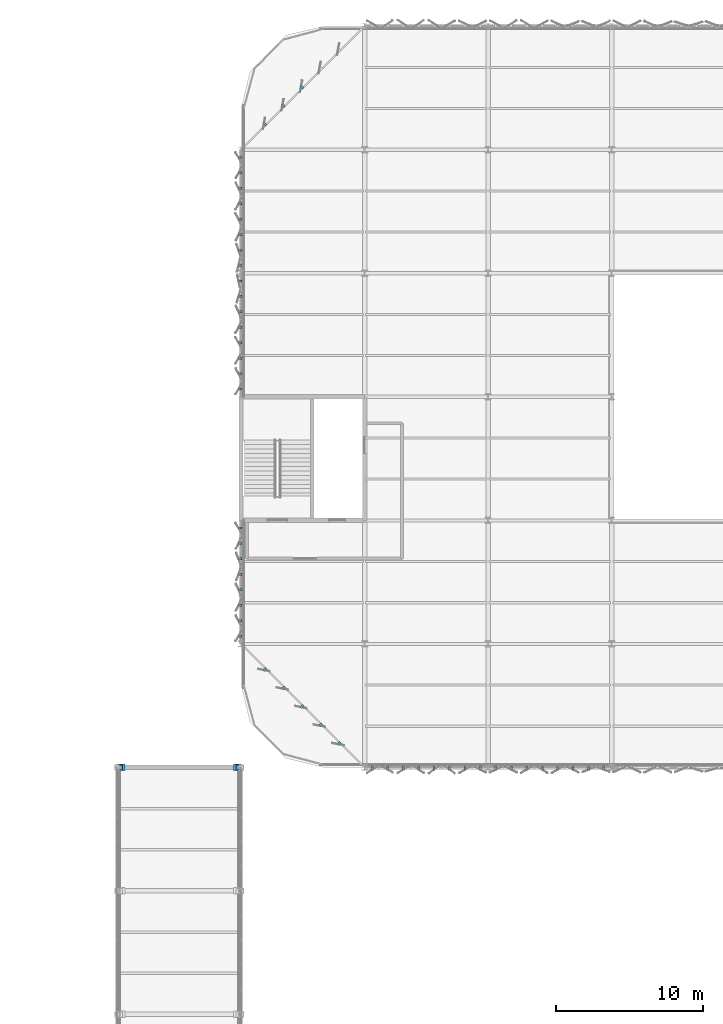
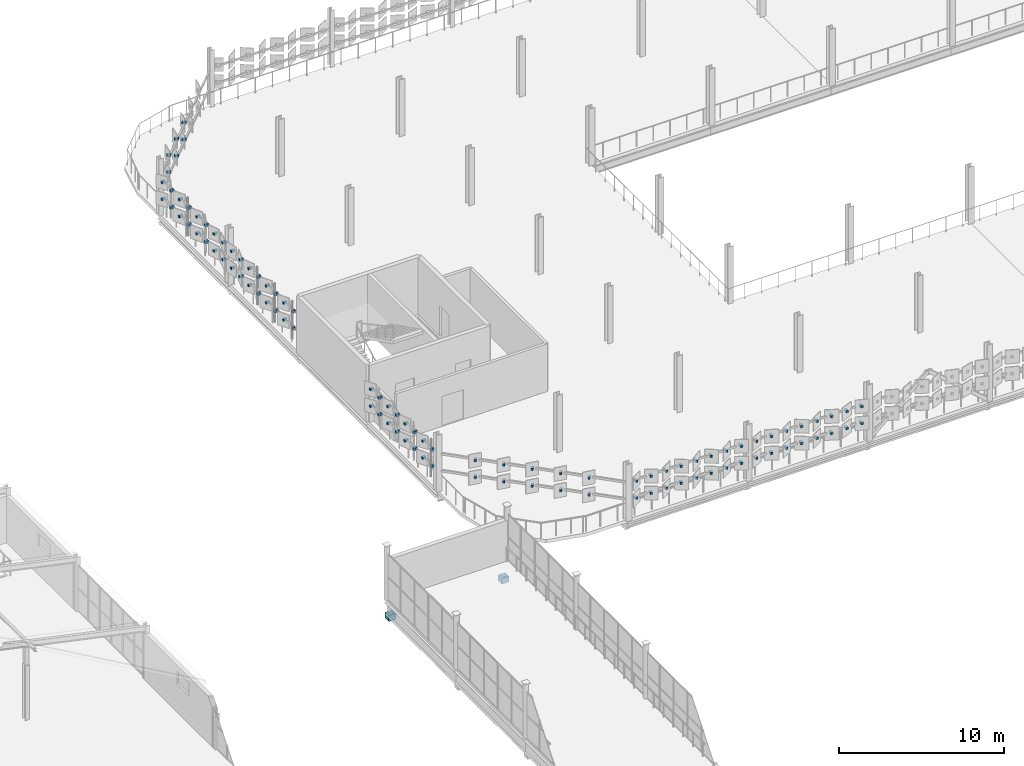
# One storey, part 168 of 184: 100 discrete accessories.
"""IFC4 building model written with IfcOpenShell, lengths in metres."""

from ifc_helpers import new_model, si_unit, direction, frame, origin, origin_2d, place, context, subcontext, project, spatial, rectangle, extrude, material, type_object, element, save


model = new_model("IFC4")

# Units and contexts
model_context = context("Model", 3, precision=1e-05, world=origin(), true_north=direction((0.0, 1.0)))
body_context = subcontext(model_context, "Body", "Model", "MODEL_VIEW")
ifc_project = project(units=[si_unit("LENGTHUNIT", "METRE"), si_unit("AREAUNIT", "SQUARE_METRE"), si_unit("VOLUMEUNIT", "CUBIC_METRE"), si_unit("PLANEANGLEUNIT", "RADIAN"), si_unit("MASSUNIT", "GRAM", prefix="KILO")], contexts=[model_context])

# Site, building, storey
site_placement = place(None, origin())
site = spatial("IfcSite", under=ifc_project, at=site_placement, CompositionType="ELEMENT")
building_placement = place(site_placement, origin())
building = spatial("IfcBuilding", under=site, at=building_placement, Name="Qalvenar Corner Mobility Hub", CompositionType="ELEMENT")
storey_placement = place(building_placement, frame((0.0, 0.0, 9.0)))
storey = spatial("IfcBuildingStorey", under=building, at=storey_placement, Name="L02", CompositionType="ELEMENT", Elevation=9.0)

# Discrete accessories
ifc_material = material(Name="Steel S355", Category="steel")
discrete_accessory_type_1 = type_object("IfcDiscreteAccessoryType", Name="ACC-BRG-CORBEL", PredefinedType="SHOE", material=ifc_material)
for number, where, z_axis, x_axis, name in (
    (1, (50.64990234375, 67.199951171875, -1.530029296875), (0.0, 0.0, 1.0), (1.0, 0.0, 0.0), "Link Bridge 500mm Seated Corbel L02-W-67"),
    (2, (58.550048828125, 67.199951171875, -1.530029296875), (0.0, 0.0, 1.0), (1.0, 0.0, 0.0), "Link Bridge 500mm Seated Corbel L02-E-67"),
):
    element("IfcDiscreteAccessory", number, at=place(storey_placement, frame(where, z_axis=z_axis, x_axis=x_axis)), inside=storey, type_object=discrete_accessory_type_1, Name=name, PredefinedType="SHOE", context=body_context, shape_type="SweptSolid", body=[
        extrude(rectangle(XDim=0.5, YDim=0.449951171875, at=origin_2d()), origin(), (0.0, 0.0, 1.0), 0.419921875),
    ])
discrete_accessory_type_2 = type_object("IfcDiscreteAccessoryType", Name="ACC-BRG-PAD", PredefinedType="SHOE", material=ifc_material)
for number, where, z_axis, x_axis, name in (
    (3, (50.64990234375, 67.199951171875, -1.125), (0.0, 0.0, 1.0), (1.0, 0.0, 0.0), "Link Bridge 200mm Sliding Bearing L02-W-67"),
    (4, (58.550048828125, 67.199951171875, -1.125), (0.0, 0.0, 1.0), (1.0, 0.0, 0.0), "Link Bridge 200mm Sliding Bearing L02-E-67"),
):
    element("IfcDiscreteAccessory", number, at=place(storey_placement, frame(where, z_axis=z_axis, x_axis=x_axis)), inside=storey, type_object=discrete_accessory_type_2, Name=name, PredefinedType="SHOE", context=body_context, shape_type="SweptSolid", body=[
        extrude(rectangle(XDim=0.199951171875, YDim=0.35009765625, at=origin_2d()), origin(), (0.0, 0.0, 1.0), 0.06005859375),
    ])
discrete_accessory_type_3 = type_object("IfcDiscreteAccessoryType", Name="ACC-HINGE-BRK", PredefinedType="BRACKET", material=ifc_material)
for number, where, z_axis, x_axis, name in (
    (5, (67.72509765625, 67.1201171875, 1.419921875), (0.0, 0.0, 1.0), (1.0, 0.0, 0.0), "Panel Hinge Bracket BK-L02-0361"),
    (6, (67.72509765625, 67.1201171875, 2.669921875), (0.0, 0.0, 1.0), (1.0, 0.0, 0.0), "Panel Hinge Bracket BK-L02-0362"),
    (7, (68.77490234375, 67.1201171875, 1.419921875), (0.0, 0.0, 1.0), (1.0, 0.0, 0.0), "Panel Hinge Bracket BK-L02-0363"),
    (8, (68.77490234375, 67.1201171875, 2.669921875), (0.0, 0.0, 1.0), (1.0, 0.0, 0.0), "Panel Hinge Bracket BK-L02-0364"),
    (9, (69.824951171875, 67.1201171875, 1.419921875), (0.0, 0.0, 1.0), (1.0, 0.0, 0.0), "Panel Hinge Bracket BK-L02-0365"),
    (10, (69.824951171875, 67.1201171875, 2.669921875), (0.0, 0.0, 1.0), (1.0, 0.0, 0.0), "Panel Hinge Bracket BK-L02-0366"),
    (11, (70.875, 67.1201171875, 1.419921875), (0.0, 0.0, 1.0), (1.0, 0.0, 0.0), "Panel Hinge Bracket BK-L02-0367"),
    (12, (70.875, 67.1201171875, 2.669921875), (0.0, 0.0, 1.0), (1.0, 0.0, 0.0), "Panel Hinge Bracket BK-L02-0368"),
    (13, (71.925048828125, 67.1201171875, 1.419921875), (0.0, 0.0, 1.0), (1.0, 0.0, 0.0), "Panel Hinge Bracket BK-L02-0369"),
    (14, (71.925048828125, 67.1201171875, 2.669921875), (0.0, 0.0, 1.0), (1.0, 0.0, 0.0), "Panel Hinge Bracket BK-L02-0370"),
    (15, (72.97509765625, 67.1201171875, 1.419921875), (0.0, 0.0, 1.0), (1.0, 0.0, 0.0), "Panel Hinge Bracket BK-L02-0371"),
    (16, (72.97509765625, 67.1201171875, 2.669921875), (0.0, 0.0, 1.0), (1.0, 0.0, 0.0), "Panel Hinge Bracket BK-L02-0372"),
    (17, (74.02490234375, 67.1201171875, 1.419921875), (0.0, 0.0, 1.0), (1.0, 0.0, 0.0), "Panel Hinge Bracket BK-L02-0373"),
    (18, (74.02490234375, 67.1201171875, 2.669921875), (0.0, 0.0, 1.0), (1.0, 0.0, 0.0), "Panel Hinge Bracket BK-L02-0374"),
    (19, (75.074951171875, 67.1201171875, 1.419921875), (0.0, 0.0, 1.0), (1.0, 0.0, 0.0), "Panel Hinge Bracket BK-L02-0375"),
    (20, (75.074951171875, 67.1201171875, 2.669921875), (0.0, 0.0, 1.0), (1.0, 0.0, 0.0), "Panel Hinge Bracket BK-L02-0376"),
    (21, (76.125, 67.1201171875, 1.419921875), (0.0, 0.0, 1.0), (1.0, 0.0, 0.0), "Panel Hinge Bracket BK-L02-0377"),
    (22, (76.125, 67.1201171875, 2.669921875), (0.0, 0.0, 1.0), (1.0, 0.0, 0.0), "Panel Hinge Bracket BK-L02-0378"),
    (23, (77.175048828125, 67.1201171875, 1.419921875), (0.0, 0.0, 1.0), (1.0, 0.0, 0.0), "Panel Hinge Bracket BK-L02-0379"),
    (24, (77.175048828125, 67.1201171875, 2.669921875), (0.0, 0.0, 1.0), (1.0, 0.0, 0.0), "Panel Hinge Bracket BK-L02-0380"),
    (25, (78.22509765625, 67.1201171875, 1.419921875), (0.0, 0.0, 1.0), (1.0, 0.0, 0.0), "Panel Hinge Bracket BK-L02-0381"),
    (26, (78.22509765625, 67.1201171875, 2.669921875), (0.0, 0.0, 1.0), (1.0, 0.0, 0.0), "Panel Hinge Bracket BK-L02-0382"),
    (27, (79.27490234375, 67.1201171875, 1.419921875), (0.0, 0.0, 1.0), (1.0, 0.0, 0.0), "Panel Hinge Bracket BK-L02-0383"),
    (28, (79.27490234375, 67.1201171875, 2.669921875), (0.0, 0.0, 1.0), (1.0, 0.0, 0.0), "Panel Hinge Bracket BK-L02-0384"),
    (29, (80.324951171875, 67.1201171875, 1.419921875), (0.0, 0.0, 1.0), (1.0, 0.0, 0.0), "Panel Hinge Bracket BK-L02-0385"),
    (30, (80.324951171875, 67.1201171875, 2.669921875), (0.0, 0.0, 1.0), (1.0, 0.0, 0.0), "Panel Hinge Bracket BK-L02-0386"),
    (31, (81.375, 67.1201171875, 1.419921875), (0.0, 0.0, 1.0), (1.0, 0.0, 0.0), "Panel Hinge Bracket BK-L02-0387"),
    (32, (81.375, 67.1201171875, 2.669921875), (0.0, 0.0, 1.0), (1.0, 0.0, 0.0), "Panel Hinge Bracket BK-L02-0388"),
    (33, (82.425048828125, 67.1201171875, 1.419921875), (0.0, 0.0, 1.0), (1.0, 0.0, 0.0), "Panel Hinge Bracket BK-L02-0389"),
    (34, (82.425048828125, 67.1201171875, 2.669921875), (0.0, 0.0, 1.0), (1.0, 0.0, 0.0), "Panel Hinge Bracket BK-L02-0390"),
    (35, (83.47509765625, 67.1201171875, 1.419921875), (0.0, 0.0, 1.0), (1.0, 0.0, 0.0), "Panel Hinge Bracket BK-L02-0391"),
    (36, (83.47509765625, 67.1201171875, 2.669921875), (0.0, 0.0, 1.0), (1.0, 0.0, 0.0), "Panel Hinge Bracket BK-L02-0392"),
    (37, (58.719970703125, 83.47509765625, 1.419921875), (0.0, 0.0, 1.0), (0.0, -1.0, 0.0), "Panel Hinge Bracket BK-L02-0617"),
    (38, (58.719970703125, 83.47509765625, 2.669921875), (0.0, 0.0, 1.0), (0.0, -1.0, 0.0), "Panel Hinge Bracket BK-L02-0618"),
    (39, (58.719970703125, 82.425048828125, 1.419921875), (0.0, 0.0, 1.0), (0.0, -1.0, 0.0), "Panel Hinge Bracket BK-L02-0619"),
    (40, (58.719970703125, 82.425048828125, 2.669921875), (0.0, 0.0, 1.0), (0.0, -1.0, 0.0), "Panel Hinge Bracket BK-L02-0620"),
    (41, (58.719970703125, 81.375, 1.419921875), (0.0, 0.0, 1.0), (0.0, -1.0, 0.0), "Panel Hinge Bracket BK-L02-0621"),
    (42, (58.719970703125, 81.375, 2.669921875), (0.0, 0.0, 1.0), (0.0, -1.0, 0.0), "Panel Hinge Bracket BK-L02-0622"),
    (43, (58.719970703125, 80.324951171875, 1.419921875), (0.0, 0.0, 1.0), (0.0, -1.0, 0.0), "Panel Hinge Bracket BK-L02-0623"),
    (44, (58.719970703125, 80.324951171875, 2.669921875), (0.0, 0.0, 1.0), (0.0, -1.0, 0.0), "Panel Hinge Bracket BK-L02-0624"),
    (45, (58.719970703125, 79.27490234375, 1.419921875), (0.0, 0.0, 1.0), (0.0, -1.0, 0.0), "Panel Hinge Bracket BK-L02-0625"),
    (46, (58.719970703125, 79.27490234375, 2.669921875), (0.0, 0.0, 1.0), (0.0, -1.0, 0.0), "Panel Hinge Bracket BK-L02-0626"),
    (47, (58.719970703125, 78.22509765625, 1.419921875), (0.0, 0.0, 1.0), (0.0, -1.0, 0.0), "Panel Hinge Bracket BK-L02-0627"),
    (48, (58.719970703125, 78.22509765625, 2.669921875), (0.0, 0.0, 1.0), (0.0, -1.0, 0.0), "Panel Hinge Bracket BK-L02-0628"),
    (49, (58.719970703125, 77.175048828125, 1.419921875), (0.0, 0.0, 1.0), (0.0, -1.0, 0.0), "Panel Hinge Bracket BK-L02-0629"),
    (50, (58.719970703125, 77.175048828125, 2.669921875), (0.0, 0.0, 1.0), (0.0, -1.0, 0.0), "Panel Hinge Bracket BK-L02-0630"),
    (51, (58.719970703125, 76.125, 1.419921875), (0.0, 0.0, 1.0), (0.0, -1.0, 0.0), "Panel Hinge Bracket BK-L02-0631"),
    (52, (58.719970703125, 76.125, 2.669921875), (0.0, 0.0, 1.0), (0.0, -1.0, 0.0), "Panel Hinge Bracket BK-L02-0632"),
    (53, (58.719970703125, 108.675048828125, 1.419921875), (0.0, 0.0, 1.0), (0.0, -1.0, 0.0), "Panel Hinge Bracket BK-L02-0633"),
    (54, (58.719970703125, 108.675048828125, 2.669921875), (0.0, 0.0, 1.0), (0.0, -1.0, 0.0), "Panel Hinge Bracket BK-L02-0634"),
    (55, (58.719970703125, 107.625, 1.419921875), (0.0, 0.0, 1.0), (0.0, -1.0, 0.0), "Panel Hinge Bracket BK-L02-0635"),
    (56, (58.719970703125, 107.625, 2.669921875), (0.0, 0.0, 1.0), (0.0, -1.0, 0.0), "Panel Hinge Bracket BK-L02-0636"),
    (57, (58.719970703125, 106.574951171875, 1.419921875), (0.0, 0.0, 1.0), (0.0, -1.0, 0.0), "Panel Hinge Bracket BK-L02-0637"),
    (58, (58.719970703125, 106.574951171875, 2.669921875), (0.0, 0.0, 1.0), (0.0, -1.0, 0.0), "Panel Hinge Bracket BK-L02-0638"),
    (59, (58.719970703125, 105.52490234375, 1.419921875), (0.0, 0.0, 1.0), (0.0, -1.0, 0.0), "Panel Hinge Bracket BK-L02-0639"),
    (60, (58.719970703125, 105.52490234375, 2.669921875), (0.0, 0.0, 1.0), (0.0, -1.0, 0.0), "Panel Hinge Bracket BK-L02-0640"),
    (61, (58.719970703125, 104.47509765625, 1.419921875), (0.0, 0.0, 1.0), (0.0, -1.0, 0.0), "Panel Hinge Bracket BK-L02-0641"),
    (62, (58.719970703125, 104.47509765625, 2.669921875), (0.0, 0.0, 1.0), (0.0, -1.0, 0.0), "Panel Hinge Bracket BK-L02-0642"),
    (63, (58.719970703125, 103.425048828125, 1.419921875), (0.0, 0.0, 1.0), (0.0, -1.0, 0.0), "Panel Hinge Bracket BK-L02-0643"),
    (64, (58.719970703125, 103.425048828125, 2.669921875), (0.0, 0.0, 1.0), (0.0, -1.0, 0.0), "Panel Hinge Bracket BK-L02-0644"),
    (65, (58.719970703125, 102.375, 1.419921875), (0.0, 0.0, 1.0), (0.0, -1.0, 0.0), "Panel Hinge Bracket BK-L02-0645"),
    (66, (58.719970703125, 102.375, 2.669921875), (0.0, 0.0, 1.0), (0.0, -1.0, 0.0), "Panel Hinge Bracket BK-L02-0646"),
    (67, (58.719970703125, 101.324951171875, 1.419921875), (0.0, 0.0, 1.0), (0.0, -1.0, 0.0), "Panel Hinge Bracket BK-L02-0647"),
    (68, (58.719970703125, 101.324951171875, 2.669921875), (0.0, 0.0, 1.0), (0.0, -1.0, 0.0), "Panel Hinge Bracket BK-L02-0648"),
    (69, (58.719970703125, 100.27490234375, 1.419921875), (0.0, 0.0, 1.0), (0.0, -1.0, 0.0), "Panel Hinge Bracket BK-L02-0649"),
    (70, (58.719970703125, 100.27490234375, 2.669921875), (0.0, 0.0, 1.0), (0.0, -1.0, 0.0), "Panel Hinge Bracket BK-L02-0650"),
    (71, (58.719970703125, 99.22509765625, 1.419921875), (0.0, 0.0, 1.0), (0.0, -1.0, 0.0), "Panel Hinge Bracket BK-L02-0651"),
    (72, (58.719970703125, 99.22509765625, 2.669921875), (0.0, 0.0, 1.0), (0.0, -1.0, 0.0), "Panel Hinge Bracket BK-L02-0652"),
    (73, (58.719970703125, 98.175048828125, 1.419921875), (0.0, 0.0, 1.0), (0.0, -1.0, 0.0), "Panel Hinge Bracket BK-L02-0653"),
    (74, (58.719970703125, 98.175048828125, 2.669921875), (0.0, 0.0, 1.0), (0.0, -1.0, 0.0), "Panel Hinge Bracket BK-L02-0654"),
    (75, (58.719970703125, 97.125, 1.419921875), (0.0, 0.0, 1.0), (0.0, -1.0, 0.0), "Panel Hinge Bracket BK-L02-0655"),
    (76, (58.719970703125, 97.125, 2.669921875), (0.0, 0.0, 1.0), (0.0, -1.0, 0.0), "Panel Hinge Bracket BK-L02-0656"),
    (77, (58.719970703125, 96.074951171875, 1.419921875), (0.0, 0.0, 1.0), (0.0, -1.0, 0.0), "Panel Hinge Bracket BK-L02-0657"),
    (78, (58.719970703125, 96.074951171875, 2.669921875), (0.0, 0.0, 1.0), (0.0, -1.0, 0.0), "Panel Hinge Bracket BK-L02-0658"),
    (79, (58.719970703125, 95.02490234375, 1.419921875), (0.0, 0.0, 1.0), (0.0, -1.0, 0.0), "Panel Hinge Bracket BK-L02-0659"),
    (80, (58.719970703125, 95.02490234375, 2.669921875), (0.0, 0.0, 1.0), (0.0, -1.0, 0.0), "Panel Hinge Bracket BK-L02-0660"),
    (81, (58.719970703125, 93.97509765625, 1.419921875), (0.0, 0.0, 1.0), (0.0, -1.0, 0.0), "Panel Hinge Bracket BK-L02-0661"),
    (82, (58.719970703125, 93.97509765625, 2.669921875), (0.0, 0.0, 1.0), (0.0, -1.0, 0.0), "Panel Hinge Bracket BK-L02-0662"),
    (83, (58.719970703125, 92.925048828125, 1.419921875), (0.0, 0.0, 1.0), (0.0, -1.0, 0.0), "Panel Hinge Bracket BK-L02-0663"),
    (84, (58.719970703125, 92.925048828125, 2.669921875), (0.0, 0.0, 1.0), (0.0, -1.0, 0.0), "Panel Hinge Bracket BK-L02-0664"),
    (85, (60.42333984375, 73.86328125, 1.419921875), (0.0, 0.0, 1.0), (0.707106781187, -0.707106781187, 0.0), "Corner Hinge Bracket BKC-L02-0681"),
    (86, (61.683349609375, 72.603515625, 1.419921875), (0.0, 0.0, 1.0), (0.707106781187, -0.707106781187, 0.0), "Corner Hinge Bracket BKC-L02-0682"),
    (87, (62.943359375, 71.343505859375, 1.419921875), (0.0, 0.0, 1.0), (0.707106781187, -0.707106781187, 0.0), "Corner Hinge Bracket BKC-L02-0683"),
    (88, (64.203369140625, 70.08349609375, 1.419921875), (0.0, 0.0, 1.0), (0.707106781187, -0.707106781187, 0.0), "Corner Hinge Bracket BKC-L02-0684"),
    (89, (65.46337890625, 68.823486328125, 1.419921875), (0.0, 0.0, 1.0), (0.707106781187, -0.707106781187, 0.0), "Corner Hinge Bracket BKC-L02-0685"),
    (90, (60.42333984375, 73.86328125, 2.669921875), (0.0, 0.0, 1.0), (0.707106781187, -0.707106781187, 0.0), "Corner Hinge Bracket BKC-L02-0686"),
    (91, (61.683349609375, 72.603515625, 2.669921875), (0.0, 0.0, 1.0), (0.707106781187, -0.707106781187, 0.0), "Corner Hinge Bracket BKC-L02-0687"),
    (92, (62.943359375, 71.343505859375, 2.669921875), (0.0, 0.0, 1.0), (0.707106781187, -0.707106781187, 0.0), "Corner Hinge Bracket BKC-L02-0688"),
    (93, (64.203369140625, 70.08349609375, 2.669921875), (0.0, 0.0, 1.0), (0.707106781187, -0.707106781187, 0.0), "Corner Hinge Bracket BKC-L02-0689"),
    (94, (65.46337890625, 68.823486328125, 2.669921875), (0.0, 0.0, 1.0), (0.707106781187, -0.707106781187, 0.0), "Corner Hinge Bracket BKC-L02-0690"),
    (95, (62.943359375, 113.45654296875, 1.419921875), (0.0, 0.0, 1.0), (-0.707106781187, -0.707106781187, 0.0), "Corner Hinge Bracket BKC-L02-0713"),
    (96, (61.683349609375, 112.196533203125, 1.419921875), (0.0, 0.0, 1.0), (-0.707106781187, -0.707106781187, 0.0), "Corner Hinge Bracket BKC-L02-0714"),
    (97, (60.42333984375, 110.9365234375, 1.419921875), (0.0, 0.0, 1.0), (-0.707106781187, -0.707106781187, 0.0), "Corner Hinge Bracket BKC-L02-0715"),
    (98, (62.943359375, 113.45654296875, 2.669921875), (0.0, 0.0, 1.0), (-0.707106781187, -0.707106781187, 0.0), "Corner Hinge Bracket BKC-L02-0718"),
    (99, (61.683349609375, 112.196533203125, 2.669921875), (0.0, 0.0, 1.0), (-0.707106781187, -0.707106781187, 0.0), "Corner Hinge Bracket BKC-L02-0719"),
    (100, (60.42333984375, 110.9365234375, 2.669921875), (0.0, 0.0, 1.0), (-0.707106781187, -0.707106781187, 0.0), "Corner Hinge Bracket BKC-L02-0720"),
):
    element("IfcDiscreteAccessory", number, at=place(storey_placement, frame(where, z_axis=z_axis, x_axis=x_axis)), inside=storey, type_object=discrete_accessory_type_3, Name=name, PredefinedType="BRACKET", context=body_context, shape_type="SweptSolid", body=[
        extrude(rectangle(XDim=0.159912109375, YDim=0.260009765625, at=origin_2d()), origin(), (0.0, 0.0, 1.0), 0.159912109375),
    ])

save(model, "model.ifc")
